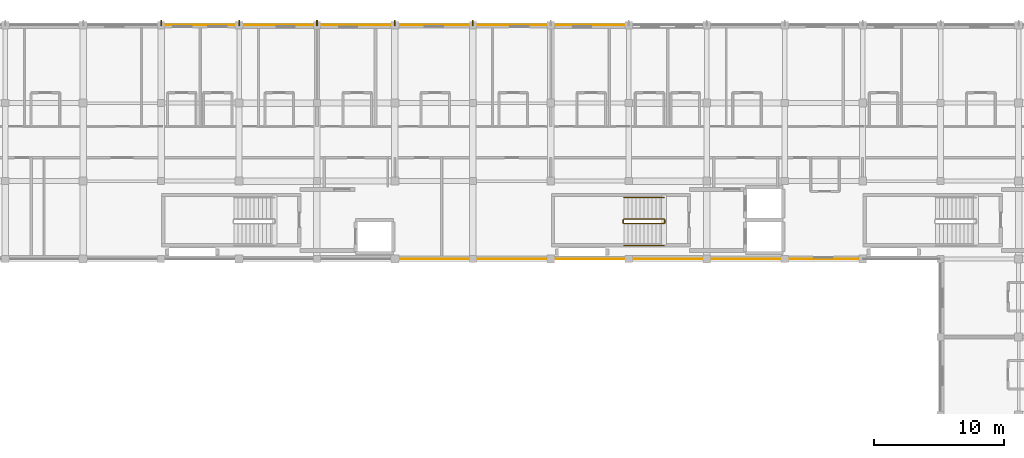
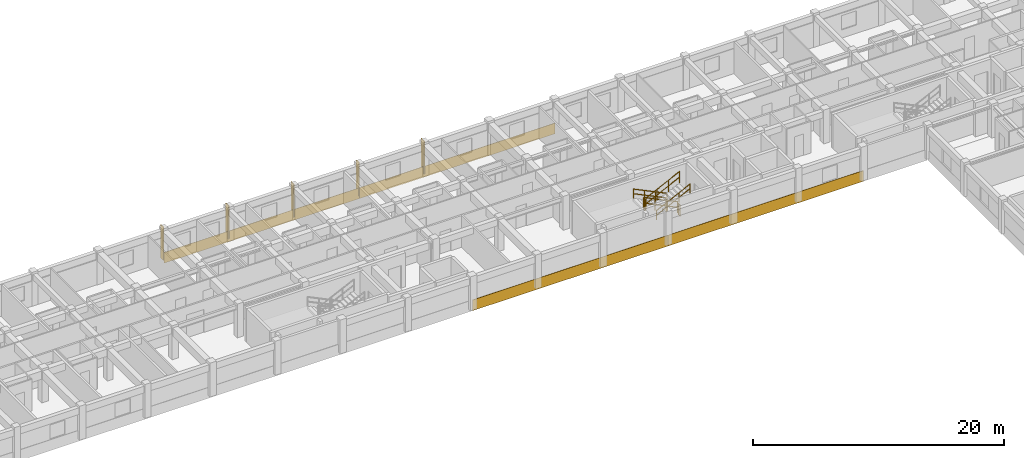
# One storey, part 21 of 22: 6 railings, 5 shading devices, 4 coverings.
"""IFC4 building model written with IfcOpenShell, lengths in metres."""

from ifc_helpers import new_model, si_unit, direction, frame, origin, origin_2d, place, context, subcontext, project, spatial, polyline, rectangle, circle, outline, extrude, material, layer, layer_set, type_object, element, save


model = new_model("IFC4")

# Units and contexts
model_context = context("Model", 3, precision=1e-05, world=origin(), true_north=direction((0.0, 1.0)))
body_context = subcontext(model_context, "Body", "Model", "MODEL_VIEW")
ifc_project = project(units=[si_unit("LENGTHUNIT", "METRE"), si_unit("AREAUNIT", "SQUARE_METRE"), si_unit("VOLUMEUNIT", "CUBIC_METRE"), si_unit("PLANEANGLEUNIT", "RADIAN"), si_unit("MASSUNIT", "GRAM", prefix="KILO"), si_unit("THERMODYNAMICTEMPERATUREUNIT", "KELVIN"), si_unit("POWERUNIT", "WATT")], contexts=[model_context])

# Site, building, storey
site_placement = place(None, origin())
site = spatial("IfcSite", under=ifc_project, at=site_placement, CompositionType="ELEMENT")
building_placement = place(site_placement, origin())
building = spatial("IfcBuilding", under=site, at=building_placement, Name="Phaisarnlok Congress Hotel", CompositionType="ELEMENT")
storey_placement = place(building_placement, frame((0.0, 0.0, 28.199951171875)))
storey = spatial("IfcBuildingStorey", under=building, at=storey_placement, Name="L06", CompositionType="ELEMENT", Elevation=28.199951171875)

# Coverings
ifc_material_1 = material(Name="Anodised Silver Aluminium Alloy 6063-T6", Category="aluminium")
ifc_layer_1 = layer(ifc_material_1, 0.031982421875, Name="Anodised Silver Aluminium Alloy 6063-T6")
ifc_layer_set_1 = layer_set([ifc_layer_1], Name="Anodised Silver Aluminium Alloy 6063-T6")
covering_type = type_object("IfcCoveringType", Name="COV-SPAND-ALU", PredefinedType="CLADDING", material=ifc_layer_set_1)
for number, where, z_axis, x_axis, name in (
    (1, (120.06005859375, 125.9951171875, -0.280029296875), (0.0, 1.0, 0.0), (-1.0, 0.0, 0.0), "Swiss minimalist anodised silver rainscreen band CL-02 (L06 N)"),
    (2, (138.06005859375, 125.9951171875, -0.280029296875), (0.0, 1.0, 0.0), (-1.0, 0.0, 0.0), "Swiss minimalist anodised silver rainscreen band CL-02 (L06 N)"),
    (3, (120.06005859375, 108.0048828125, -0.280029296875), (0.0, -1.0, 0.0), (1.0, 0.0, 0.0), "Swiss minimalist anodised silver rainscreen band CL-02 (L06 S)"),
    (4, (138.06005859375, 108.0048828125, -0.280029296875), (0.0, -1.0, 0.0), (1.0, 0.0, 0.0), "Swiss minimalist anodised silver rainscreen band CL-02 (L06 S)"),
):
    element("IfcCovering", number, at=place(storey_placement, frame(where, z_axis=z_axis, x_axis=x_axis)), inside=storey, type_object=covering_type, Name=name, PredefinedType="CLADDING", context=body_context, shape_type="SweptSolid", body=[
        extrude(outline(polyline([(0.0, 0.0), (18.0, 0.0), (18.0, 1.050048828125), (0.0, 1.050048828125), (0.0, 0.0)])), origin(), (0.0, 0.0, 1.0), 0.031982421875),
    ])

# Railings
ifc_material_2 = material(Name="Painted Galvanised Steel S275", Category="steel")
railing_type_1 = type_object("IfcRailingType", Name="RLG-STR-GUARD", PredefinedType="BALUSTRADE", material=ifc_material_2)
railing_1_placement = place(storey_placement, frame((140.719970703125, 111.070068359375, 0.150146484375)))
element("IfcRailing", 5, at=railing_1_placement, inside=storey, type_object=railing_type_1, Name="L06 ST-06 stair guard 1", PredefinedType="BALUSTRADE", context=body_context, shape_type="SweptSolid", body=[
    extrude(circle(Radius=0.02392578125, at=origin_2d()), frame((0.0, 0.0, 1.076171875), z_axis=(-0.900151181449, 0.0, 0.435577605641), x_axis=(0.0, -1.0, 0.0)), (0.0, 0.0, 1.0), 3.443603515625),
    extrude(circle(Radius=0.02392578125, at=origin_2d()), frame((0.0, 0.0, 0.52587890625), z_axis=(-0.900151181449, 0.0, 0.435577605641), x_axis=(0.0, -1.0, 0.0)), (0.0, 0.0, 1.0), 3.443603515625),
    extrude(circle(Radius=0.02099609375, at=origin_2d()), origin(), (0.0, 0.0, 1.0), 1.052001953125),
    extrude(circle(Radius=0.02099609375, at=origin_2d()), frame((-1.033203125, 0.0, 0.5)), (0.0, 0.0, 1.0), 1.052001953125),
    extrude(circle(Radius=0.02099609375, at=origin_2d()), frame((-2.066650390625, 0.0, 1.0)), (0.0, 0.0, 1.0), 1.052001953125),
    extrude(circle(Radius=0.02099609375, at=origin_2d()), frame((-3.099853515625, 0.0, 1.5)), (0.0, 0.0, 1.0), 1.052001953125),
])
railing_2_placement = place(storey_placement, frame((137.570068359375, 111.02001953125, 1.650146484375)))
element("IfcRailing", 6, at=railing_2_placement, inside=storey, type_object=railing_type_1, Name="L06 ST-06 stair guard 2", PredefinedType="BALUSTRADE", context=body_context, shape_type="SweptSolid", body=[
    extrude(circle(Radius=0.02392578125, at=origin_2d()), frame((0.0, 0.0, 1.076171875), z_axis=(0.0, -1.0, 0.0), x_axis=(1.0, 0.0, 0.0)), (0.0, 0.0, 1.0), 0.239990234375),
    extrude(circle(Radius=0.02392578125, at=origin_2d()), frame((0.0, 0.0, 0.52587890625), z_axis=(0.0, -1.0, 0.0), x_axis=(1.0, 0.0, 0.0)), (0.0, 0.0, 1.0), 0.239990234375),
    extrude(circle(Radius=0.02099609375, at=origin_2d()), origin(), (0.0, 0.0, 1.0), 1.052001953125),
    extrude(circle(Radius=0.02099609375, at=origin_2d()), frame((0.0, -0.239990234375, 0.0)), (0.0, 0.0, 1.0), 1.052001953125),
])
railing_3_placement = place(storey_placement, frame((137.6201171875, 110.72998046875, 1.800048828125)))
element("IfcRailing", 7, at=railing_3_placement, inside=storey, type_object=railing_type_1, Name="L06 ST-06 stair guard 3", PredefinedType="BALUSTRADE", context=body_context, shape_type="SweptSolid", body=[
    extrude(circle(Radius=0.02392578125, at=origin_2d()), frame((0.0, 0.0, 1.076171875), z_axis=(0.900151181449, 0.0, 0.435577605641), x_axis=(0.0, 1.0, 0.0)), (0.0, 0.0, 1.0), 3.443603515625),
    extrude(circle(Radius=0.02392578125, at=origin_2d()), frame((0.0, 0.0, 0.52587890625), z_axis=(0.900151181449, 0.0, 0.435577605641), x_axis=(0.0, 1.0, 0.0)), (0.0, 0.0, 1.0), 3.443603515625),
    extrude(circle(Radius=0.02099609375, at=origin_2d()), origin(), (0.0, 0.0, 1.0), 1.052001953125),
    extrude(circle(Radius=0.02099609375, at=origin_2d()), frame((1.033203125, 0.0, 0.5)), (0.0, 0.0, 1.0), 1.052001953125),
    extrude(circle(Radius=0.02099609375, at=origin_2d()), frame((2.066650390625, 0.0, 1.0)), (0.0, 0.0, 1.0), 1.052001953125),
    extrude(circle(Radius=0.02099609375, at=origin_2d()), frame((3.099853515625, 0.0, 1.5)), (0.0, 0.0, 1.0), 1.052001953125),
])
railing_4_placement = place(storey_placement, frame((140.77001953125, 111.02001953125, 0.0)))
element("IfcRailing", 8, at=railing_4_placement, inside=storey, type_object=railing_type_1, Name="L06 ST-06 stair guard 4", PredefinedType="BALUSTRADE", context=body_context, shape_type="SweptSolid", body=[
    extrude(circle(Radius=0.02392578125, at=origin_2d()), frame((0.0, 0.0, 1.076171875), z_axis=(0.0, -1.0, 0.0), x_axis=(1.0, 0.0, 0.0)), (0.0, 0.0, 1.0), 0.239990234375),
    extrude(circle(Radius=0.02392578125, at=origin_2d()), frame((0.0, 0.0, 0.52587890625), z_axis=(0.0, -1.0, 0.0), x_axis=(1.0, 0.0, 0.0)), (0.0, 0.0, 1.0), 0.239990234375),
    extrude(circle(Radius=0.02099609375, at=origin_2d()), origin(), (0.0, 0.0, 1.0), 1.052001953125),
    extrude(circle(Radius=0.02099609375, at=origin_2d()), frame((0.0, -0.239990234375, 0.0)), (0.0, 0.0, 1.0), 1.052001953125),
])
ifc_material_3 = material(Name="Brushed Stainless Steel Grade 304", Category="steel")
railing_type_2 = type_object("IfcRailingType", Name="RLG-STR-HRAIL", PredefinedType="HANDRAIL", material=ifc_material_3)
railing_5_placement = place(storey_placement, frame((140.719970703125, 112.75, 0.150146484375)))
element("IfcRailing", 9, at=railing_5_placement, inside=storey, type_object=railing_type_2, Name="L06 ST-06 stair handrail 1", PredefinedType="HANDRAIL", context=body_context, shape_type="SweptSolid", body=[
    extrude(circle(Radius=0.02392578125, at=origin_2d()), frame((0.0, 0.0, 0.8759765625), z_axis=(-0.900151181449, 0.0, 0.435577605641), x_axis=(0.0, -1.0, 0.0)), (0.0, 0.0, 1.0), 3.443603515625),
    extrude(circle(Radius=0.02392578125, at=origin_2d()), frame((0.0, 0.0, 0.42578125), z_axis=(-0.900151181449, 0.0, 0.435577605641), x_axis=(0.0, -1.0, 0.0)), (0.0, 0.0, 1.0), 3.443603515625),
    extrude(circle(Radius=0.02099609375, at=origin_2d()), origin(), (0.0, 0.0, 1.0), 0.851806640625),
    extrude(circle(Radius=0.02099609375, at=origin_2d()), frame((-1.033203125, 0.0, 0.5)), (0.0, 0.0, 1.0), 0.851806640625),
    extrude(circle(Radius=0.02099609375, at=origin_2d()), frame((-2.066650390625, 0.0, 1.0)), (0.0, 0.0, 1.0), 0.851806640625),
    extrude(circle(Radius=0.02099609375, at=origin_2d()), frame((-3.099853515625, 0.0, 1.5)), (0.0, 0.0, 1.0), 0.851806640625),
])
railing_6_placement = place(storey_placement, frame((137.6201171875, 109.050048828125, 1.800048828125)))
element("IfcRailing", 10, at=railing_6_placement, inside=storey, type_object=railing_type_2, Name="L06 ST-06 stair handrail 2", PredefinedType="HANDRAIL", context=body_context, shape_type="SweptSolid", body=[
    extrude(circle(Radius=0.02392578125, at=origin_2d()), frame((0.0, 0.0, 0.8759765625), z_axis=(0.900151181449, 0.0, 0.435577605641), x_axis=(0.0, 1.0, 0.0)), (0.0, 0.0, 1.0), 3.443603515625),
    extrude(circle(Radius=0.02392578125, at=origin_2d()), frame((0.0, 0.0, 0.42578125), z_axis=(0.900151181449, 0.0, 0.435577605641), x_axis=(0.0, 1.0, 0.0)), (0.0, 0.0, 1.0), 3.443603515625),
    extrude(circle(Radius=0.02099609375, at=origin_2d()), origin(), (0.0, 0.0, 1.0), 0.851806640625),
    extrude(circle(Radius=0.02099609375, at=origin_2d()), frame((1.033203125, 0.0, 0.5)), (0.0, 0.0, 1.0), 0.851806640625),
    extrude(circle(Radius=0.02099609375, at=origin_2d()), frame((2.066650390625, 0.0, 1.0)), (0.0, 0.0, 1.0), 0.851806640625),
    extrude(circle(Radius=0.02099609375, at=origin_2d()), frame((3.099853515625, 0.0, 1.5)), (0.0, 0.0, 1.0), 0.851806640625),
])

# Shading devices
ifc_material_4 = material(Name="Anodised Champagne Aluminium Alloy 6063", Category="aluminium")
ifc_layer_2 = layer(ifc_material_4, 0.050048828125, Name="Anodised Champagne Aluminium Alloy 6063")
ifc_layer_set_2 = layer_set([ifc_layer_2], Name="Anodised Champagne Aluminium Alloy 6063")
shading_device_type = type_object("IfcShadingDeviceType", Name="SHD-FIN-VERT", PredefinedType="SHUTTER", material=ifc_layer_set_2)
for number, where, z_axis, x_axis, name in (
    (11, (102.0, 126.179931640625, 0.0400390625), (0.0, 0.0, 1.0), (1.0, 0.0, 0.0), "Hotel vertical solar fin SF-01 (L06)"),
    (12, (108.0, 126.179931640625, 0.0400390625), (0.0, 0.0, 1.0), (1.0, 0.0, 0.0), "Hotel vertical solar fin SF-01 (L06)"),
    (13, (114.0, 126.179931640625, 0.0400390625), (0.0, 0.0, 1.0), (1.0, 0.0, 0.0), "Hotel vertical solar fin SF-01 (L06)"),
    (14, (120.0, 126.179931640625, 0.0400390625), (0.0, 0.0, 1.0), (1.0, 0.0, 0.0), "Hotel vertical solar fin SF-01 (L06)"),
    (15, (126.0, 126.179931640625, 0.0400390625), (0.0, 0.0, 1.0), (1.0, 0.0, 0.0), "Hotel vertical solar fin SF-01 (L06)"),
):
    element("IfcShadingDevice", number, at=place(storey_placement, frame(where, z_axis=z_axis, x_axis=x_axis)), inside=storey, type_object=shading_device_type, Name=name, PredefinedType="SHUTTER", context=body_context, shape_type="SweptSolid", body=[
        extrude(rectangle(XDim=0.080078125, YDim=0.43994140625, at=origin_2d()), origin(), (0.0, 0.0, 1.0), 3.219970703125),
    ])

save(model, "model.ifc")
